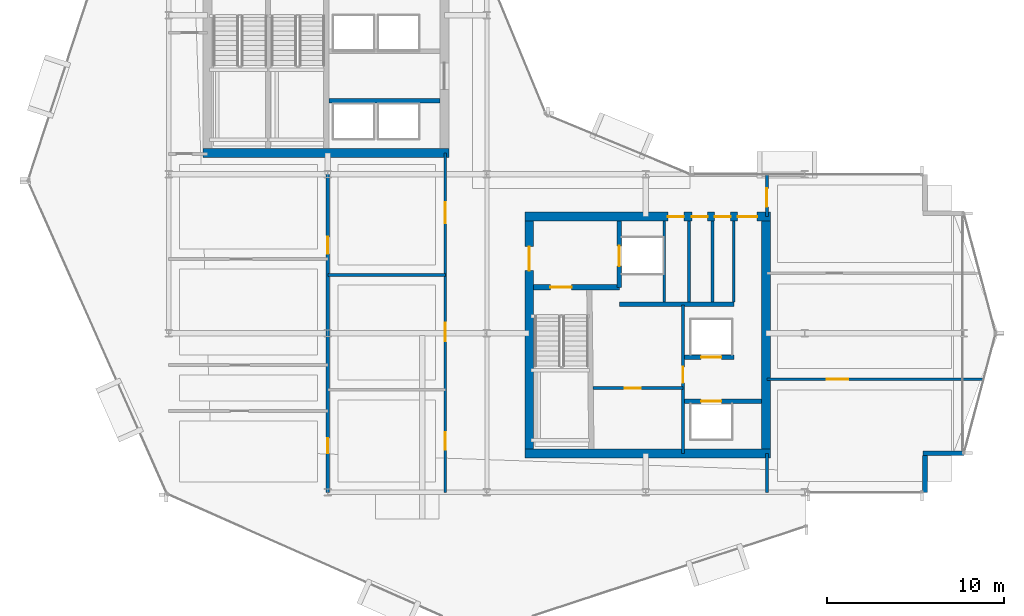
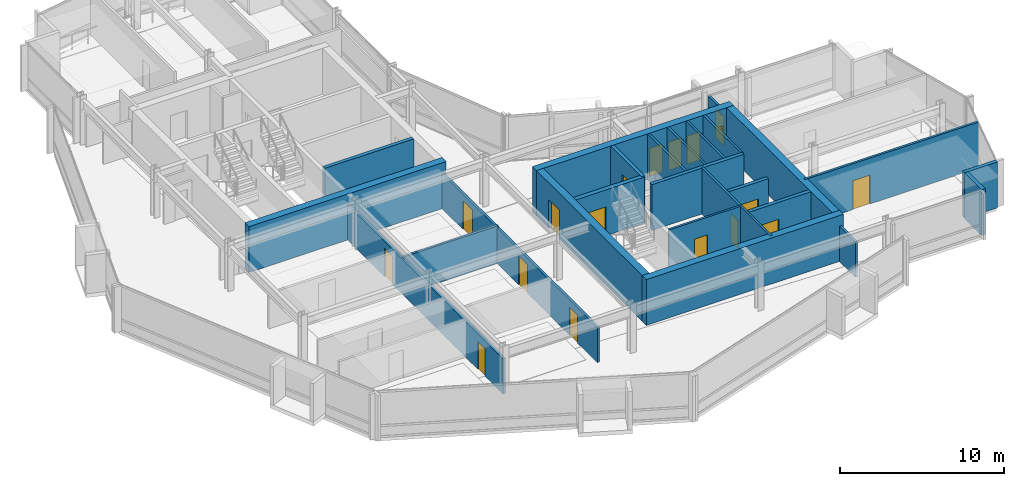
# One storey, part 22 of 29: 25 walls, 18 doors, 18 openings.
"""IFC4 building model written with IfcOpenShell, lengths in metres."""

from ifc_helpers import new_model, si_unit, direction, frame, frame_2d, origin, place, context, subcontext, project, spatial, rectangle, extrude, material, layer, layer_set, type_object, element, fill, save


model = new_model("IFC4")

# Units and contexts
model_context = context("Model", 3, precision=1e-05, world=origin(), true_north=direction((0.0, 1.0)))
body_context = subcontext(model_context, "Body", "Model", "MODEL_VIEW")
ifc_project = project(units=[si_unit("LENGTHUNIT", "METRE"), si_unit("AREAUNIT", "SQUARE_METRE"), si_unit("VOLUMEUNIT", "CUBIC_METRE"), si_unit("PLANEANGLEUNIT", "RADIAN"), si_unit("MASSUNIT", "GRAM", prefix="KILO")], contexts=[model_context])

# Site, building, storey
site_placement = place(None, origin())
site = spatial("IfcSite", under=ifc_project, at=site_placement, CompositionType="ELEMENT")
building_placement = place(site_placement, origin())
building = spatial("IfcBuilding", under=site, at=building_placement, Name="Solvaryn Broadcast Tower", CompositionType="ELEMENT")
storey_placement = place(building_placement, frame((0.0, 0.0, 161.800048828125)))
storey = spatial("IfcBuildingStorey", under=building, at=storey_placement, Name="L40", CompositionType="ELEMENT", Elevation=161.800048828125)

# Walls
ifc_material_1 = material(Name="Concrete f'c 70 MPa", Category="concrete")
ifc_layer_1 = layer(ifc_material_1, 0.5)
ifc_layer_set_1 = layer_set([ifc_layer_1], Name="CW-SHEAR-500")
wall_type_1 = type_object("IfcWallType", Name="CW-SHEAR-500", PredefinedType="SHEAR", material=ifc_layer_set_1)
for number, where, z_axis, x_axis, name in (
    (1, (10.949951171875, 28.199951171875, 0.0), (0.0, 0.0, 1.0), (1.0, 0.0, 0.0), "L40 West Core South Shear Wall"),
    (2, (29.14990234375, 11.199951171875, 0.0), (0.0, 0.0, 1.0), (1.0, 0.0, 0.0), "L40 East Core South Shear Wall"),
):
    element("IfcWall", number, at=place(storey_placement, frame(where, z_axis=z_axis, x_axis=x_axis)), inside=storey, type_object=wall_type_1, Name=name, PredefinedType="SHEAR", context=body_context, shape_type="SweptSolid", body=[
        extrude(rectangle(XDim=13.900146484375, YDim=0.5, at=frame_2d((6.9501953125, 0.0))), origin(), (0.0, 0.0, 1.0), 3.419921875),
    ])

# Wall, openings, doors
wall_1_placement = place(storey_placement, frame((43.050048828125, 24.60009765625, 0.0), z_axis=(0.0, 0.0, 1.0), x_axis=(-1.0, 0.0, 0.0)))
wall_1 = element("IfcWall", 3, at=wall_1_placement, inside=storey, type_object=wall_type_1, Name="L40 East Core North Shear Wall", PredefinedType="SHEAR", context=body_context, shape_type="SweptSolid", body=[
    extrude(rectangle(XDim=13.900146484375, YDim=0.5, at=frame_2d((6.9501953125, 0.0))), origin(), (0.0, 0.0, 1.0), 3.419921875),
])
opening_1_placement = place(wall_1_placement, frame((0.75, 0.0, 0.0)))
opening_1 = element("IfcOpeningElement", 4, at=opening_1_placement, cuts=wall_1, Name="Opening FD90C", PredefinedType="OPENING", context=body_context, shape_type="SweptSolid", body=[
    extrude(rectangle(XDim=1.10009765625, YDim=2.14990234375, at=frame_2d((0.550048828125, 1.074951171875))), frame((0.0, 0.260009765625, 0.0), z_axis=(0.0, -1.0, 0.0), x_axis=(1.0, 0.0, 0.0)), (0.0, 0.0, 1.0), 0.52001953125),
])
opening_2_placement = place(wall_1_placement, frame((2.25, 0.0, 0.0)))
opening_2 = element("IfcOpeningElement", 5, at=opening_2_placement, cuts=wall_1, Name="Opening FD60C", PredefinedType="OPENING", context=body_context, shape_type="SweptSolid", body=[
    extrude(rectangle(XDim=0.89990234375, YDim=2.10009765625, at=frame_2d((0.449951171875, 1.050048828125))), frame((0.0, 0.260009765625, 0.0), z_axis=(0.0, -1.0, 0.0), x_axis=(1.0, 0.0, 0.0)), (0.0, 0.0, 1.0), 0.52001953125),
])
opening_3_placement = place(wall_1_placement, frame((3.550048828125, 0.0, 0.0)))
opening_3 = element("IfcOpeningElement", 6, at=opening_3_placement, cuts=wall_1, Name="Opening FD60C", PredefinedType="OPENING", context=body_context, shape_type="SweptSolid", body=[
    extrude(rectangle(XDim=0.89990234375, YDim=2.10009765625, at=frame_2d((0.449951171875, 1.050048828125))), frame((0.0, 0.260009765625, 0.0), z_axis=(0.0, -1.0, 0.0), x_axis=(1.0, 0.0, 0.0)), (0.0, 0.0, 1.0), 0.52001953125),
])
opening_4_placement = place(wall_1_placement, frame((4.89990234375, 0.0, 0.0)))
opening_4 = element("IfcOpeningElement", 7, at=opening_4_placement, cuts=wall_1, Name="Opening FD60C", PredefinedType="OPENING", context=body_context, shape_type="SweptSolid", body=[
    extrude(rectangle(XDim=0.89990234375, YDim=2.10009765625, at=frame_2d((0.449951171875, 1.050048828125))), frame((0.0, 0.260009765625, 0.0), z_axis=(0.0, -1.0, 0.0), x_axis=(1.0, 0.0, 0.0)), (0.0, 0.0, 1.0), 0.52001953125),
])
ifc_material_2 = material(Name="Flush Acoustic Steel and Timber Door Assembly", Category="steel")
door_type_1 = type_object("IfcDoorType", Name="FD60-SERV-900X2100", OperationType="NOTDEFINED", PredefinedType="DOOR", material=ifc_material_2)
door_1_placement = place(opening_2_placement, origin())
door_1 = element("IfcDoor", 8, at=door_1_placement, inside=storey, type_object=door_type_1, Name="L40 Core Wellness Room Door", OperationType="SINGLE_SWING_RIGHT", OverallHeight=2.10009765625, OverallWidth=0.89990234375, PredefinedType="DOOR", context=body_context, shape_type="SweptSolid", body=[
    extrude(rectangle(XDim=0.89990234375, YDim=2.10009765625, at=frame_2d((0.449951171875, 1.050048828125))), frame((0.0, 0.02490234375, 0.0), z_axis=(0.0, -1.0, 0.0), x_axis=(1.0, 0.0, 0.0)), (0.0, 0.0, 1.0), 0.050048828125),
])
fill(opening_2, door_1)
door_2_placement = place(opening_3_placement, origin())
door_2 = element("IfcDoor", 9, at=door_2_placement, inside=storey, type_object=door_type_1, Name="L40 Staff Restroom Door", OperationType="SINGLE_SWING_LEFT", OverallHeight=2.10009765625, OverallWidth=0.89990234375, PredefinedType="DOOR", context=body_context, shape_type="SweptSolid", body=[
    extrude(rectangle(XDim=0.89990234375, YDim=2.10009765625, at=frame_2d((0.449951171875, 1.050048828125))), frame((0.0, 0.02490234375, 0.0), z_axis=(0.0, -1.0, 0.0), x_axis=(1.0, 0.0, 0.0)), (0.0, 0.0, 1.0), 0.050048828125),
])
fill(opening_3, door_2)
door_3_placement = place(opening_4_placement, origin())
door_3 = element("IfcDoor", 10, at=door_3_placement, inside=storey, type_object=door_type_1, Name="L40 Accessible WC Door", OperationType="SINGLE_SWING_RIGHT", OverallHeight=2.10009765625, OverallWidth=0.89990234375, PredefinedType="DOOR", context=body_context, shape_type="SweptSolid", body=[
    extrude(rectangle(XDim=0.89990234375, YDim=2.10009765625, at=frame_2d((0.449951171875, 1.050048828125))), frame((0.0, 0.02490234375, 0.0), z_axis=(0.0, -1.0, 0.0), x_axis=(1.0, 0.0, 0.0)), (0.0, 0.0, 1.0), 0.050048828125),
])
fill(opening_4, door_3)
ifc_material_3 = material(Name="Flush Acoustic Steel and Timber Door Assembly", Category="steel")
door_type_2 = type_object("IfcDoorType", Name="FD90-PLANT-1100X2150", OperationType="NOTDEFINED", PredefinedType="DOOR", material=ifc_material_3)
door_4_placement = place(opening_1_placement, origin())
door_4 = element("IfcDoor", 11, at=door_4_placement, inside=storey, type_object=door_type_2, Name="L40 East Core Lobby Corridor Door", OperationType="SINGLE_SWING_LEFT", OverallHeight=2.14990234375, OverallWidth=1.10009765625, PredefinedType="DOOR", context=body_context, shape_type="SweptSolid", body=[
    extrude(rectangle(XDim=1.10009765625, YDim=2.14990234375, at=frame_2d((0.550048828125, 1.074951171875))), frame((0.0, 0.02490234375, 0.0), z_axis=(0.0, -1.0, 0.0), x_axis=(1.0, 0.0, 0.0)), (0.0, 0.0, 1.0), 0.050048828125),
])
fill(opening_1, door_4)

# Wall, opening, door
wall_2_placement = place(storey_placement, frame((29.39990234375, 24.35009765625, 0.0), z_axis=(0.0, 0.0, 1.0), x_axis=(0.0, -1.0, 0.0)))
wall_2 = element("IfcWall", 12, at=wall_2_placement, inside=storey, type_object=wall_type_1, Name="L40 East Core West Shear Wall", PredefinedType="SHEAR", context=body_context, shape_type="SweptSolid", body=[
    extrude(rectangle(XDim=12.900146484375, YDim=0.5, at=frame_2d((6.4501953125, 0.0))), origin(), (0.0, 0.0, 1.0), 3.419921875),
])
opening_5_placement = place(wall_2_placement, frame((1.449951171875, 0.0, 0.0)))
opening_5 = element("IfcOpeningElement", 13, at=opening_5_placement, cuts=wall_2, Name="Opening FD90B", PredefinedType="OPENING", context=body_context, shape_type="SweptSolid", body=[
    extrude(rectangle(XDim=1.35009765625, YDim=2.14990234375, at=frame_2d((0.675048828125, 1.074951171875))), frame((0.0, 0.260009765625, 0.0), z_axis=(0.0, -1.0, 0.0), x_axis=(1.0, 0.0, 0.0)), (0.0, 0.0, 1.0), 0.52001953125),
])
ifc_material_4 = material(Name="Flush Acoustic Steel and Timber Door Assembly", Category="steel")
door_type_3 = type_object("IfcDoorType", Name="FD90-LOBBY-1350X2150", OperationType="NOTDEFINED", PredefinedType="DOOR", material=ifc_material_4)
door_5_placement = place(opening_5_placement, origin())
door_5 = element("IfcDoor", 14, at=door_5_placement, inside=storey, type_object=door_type_3, Name="L40 East FSAE Lobby Door", OperationType="SINGLE_SWING_RIGHT", OverallHeight=2.14990234375, OverallWidth=1.35009765625, PredefinedType="DOOR", context=body_context, shape_type="SweptSolid", body=[
    extrude(rectangle(XDim=1.35009765625, YDim=2.14990234375, at=frame_2d((0.675048828125, 1.074951171875))), frame((0.0, 0.02490234375, 0.0), z_axis=(0.0, -1.0, 0.0), x_axis=(1.0, 0.0, 0.0)), (0.0, 0.0, 1.0), 0.050048828125),
])
fill(opening_5, door_5)

# Walls
wall_3_placement = place(storey_placement, frame((42.800048828125, 11.449951171875, 0.0), z_axis=(0.0, 0.0, 1.0), x_axis=(0.0, 1.0, 0.0)))
element("IfcWall", 15, at=wall_3_placement, inside=storey, type_object=wall_type_1, Name="L40 East Core East Shear Wall", PredefinedType="SHEAR", context=body_context, shape_type="SweptSolid", body=[
    extrude(rectangle(XDim=12.900146484375, YDim=0.5, at=frame_2d((6.4501953125, 0.0))), origin(), (0.0, 0.0, 1.0), 3.419921875),
])
ifc_material_5 = material(Name="Concrete f'c 50 MPa", Category="concrete")
ifc_layer_2 = layer(ifc_material_5, 0.260009765625)
ifc_layer_set_2 = layer_set([ifc_layer_2], Name="EW-PIER-260")
wall_type_2 = type_object("IfcWallType", Name="EW-PIER-260", PredefinedType="SOLIDWALL", material=ifc_layer_set_2)
wall_4_placement = place(storey_placement, frame((51.800048828125, 9.0, 0.0), z_axis=(0.0, 0.0, 1.0), x_axis=(0.0, 1.0, 0.0)))
element("IfcWall", 16, at=wall_4_placement, inside=storey, type_object=wall_type_2, Name="L40 Notched Corner Pier Wall NSE1", PredefinedType="SOLIDWALL", context=body_context, shape_type="SweptSolid", body=[
    extrude(rectangle(XDim=2.080078125, YDim=0.260009765625, at=frame_2d((1.0400390625, 0.0))), origin(), (0.0, 0.0, 1.0), 3.419921875),
])
wall_5_placement = place(storey_placement, frame((51.679931640625, 11.199951171875, 0.0), z_axis=(0.0, 0.0, 1.0), x_axis=(1.0, 0.0, 0.0)))
element("IfcWall", 17, at=wall_5_placement, inside=storey, type_object=wall_type_2, Name="L40 Notched Corner Pier Wall NSE2", PredefinedType="SOLIDWALL", context=body_context, shape_type="SweptSolid", body=[
    extrude(rectangle(XDim=2.320068359375, YDim=0.260009765625, at=frame_2d((1.16015625, 0.0))), origin(), (0.0, 0.0, 1.0), 3.419921875),
])

# Wall, opening, door
ifc_material_6 = material(Name="Metal-Stud Service Core Partition")
ifc_layer_3 = layer(ifc_material_6, 0.14990234375)
ifc_layer_set_3 = layer_set([ifc_layer_3], Name="IW-PART-150")
wall_type_3 = type_object("IfcWallType", Name="IW-PART-150", PredefinedType="PARTITIONING", material=ifc_layer_set_3)
wall_6_placement = place(storey_placement, frame((33.0, 14.89990234375, 0.0), z_axis=(0.0, 0.0, 1.0), x_axis=(1.0, 0.0, 0.0)))
wall_6 = element("IfcWall", 18, at=wall_6_placement, inside=storey, type_object=wall_type_3, Name="L40 Interior Partition IW-L40-RPL-H", PredefinedType="PARTITIONING", context=body_context, shape_type="SweptSolid", body=[
    extrude(rectangle(XDim=5.10009765625, YDim=0.14990234375, at=frame_2d((2.550048828125, 0.0))), origin(), (0.0, 0.0, 1.0), 3.419921875),
])
opening_6_placement = place(wall_6_placement, frame((1.800048828125, 0.0, 0.0)))
opening_6 = element("IfcOpeningElement", 19, at=opening_6_placement, cuts=wall_6, Name="Opening FD60C", PredefinedType="OPENING", context=body_context, shape_type="SweptSolid", body=[
    extrude(rectangle(XDim=0.89990234375, YDim=2.10009765625, at=frame_2d((0.449951171875, 1.050048828125))), frame((0.0, 0.0849609375, 0.0), z_axis=(0.0, -1.0, 0.0), x_axis=(1.0, 0.0, 0.0)), (0.0, 0.0, 1.0), 0.169921875),
])
door_6_placement = place(opening_6_placement, origin())
door_6 = element("IfcDoor", 20, at=door_6_placement, inside=storey, type_object=door_type_1, Name="L40 Door DR-L40-RPL1", OperationType="SINGLE_SWING_LEFT", OverallHeight=2.10009765625, OverallWidth=0.89990234375, PredefinedType="DOOR", context=body_context, shape_type="SweptSolid", body=[
    extrude(rectangle(XDim=0.89990234375, YDim=2.10009765625, at=frame_2d((0.449951171875, 1.050048828125))), frame((0.0, 0.02490234375, 0.0), z_axis=(0.0, -1.0, 0.0), x_axis=(1.0, 0.0, 0.0)), (0.0, 0.0, 1.0), 0.050048828125),
])
fill(opening_6, door_6)

wall_7_placement = place(storey_placement, frame((38.10009765625, 11.199951171875, 0.0), z_axis=(0.0, 0.0, 1.0), x_axis=(0.0, 1.0, 0.0)))
wall_7 = element("IfcWall", 21, at=wall_7_placement, inside=storey, type_object=wall_type_3, Name="L40 Interior Partition IW-L40-RPL-E", PredefinedType="PARTITIONING", context=body_context, shape_type="SweptSolid", body=[
    extrude(rectangle(XDim=8.400146484375, YDim=0.14990234375, at=frame_2d((4.2001953125, 0.0))), origin(), (0.0, 0.0, 1.0), 3.419921875),
])
opening_7_placement = place(wall_7_placement, frame((4.0, 0.0, 0.0)))
opening_7 = element("IfcOpeningElement", 22, at=opening_7_placement, cuts=wall_7, Name="Opening FD60C", PredefinedType="OPENING", context=body_context, shape_type="SweptSolid", body=[
    extrude(rectangle(XDim=0.89990234375, YDim=2.10009765625, at=frame_2d((0.449951171875, 1.050048828125))), frame((0.0, 0.0849609375, 0.0), z_axis=(0.0, -1.0, 0.0), x_axis=(1.0, 0.0, 0.0)), (0.0, 0.0, 1.0), 0.169921875),
])
door_7_placement = place(opening_7_placement, origin())
door_7 = element("IfcDoor", 23, at=door_7_placement, inside=storey, type_object=door_type_1, Name="L40 Door DR-L40-RPL2", OperationType="SINGLE_SWING_RIGHT", OverallHeight=2.10009765625, OverallWidth=0.89990234375, PredefinedType="DOOR", context=body_context, shape_type="SweptSolid", body=[
    extrude(rectangle(XDim=0.89990234375, YDim=2.10009765625, at=frame_2d((0.449951171875, 1.050048828125))), frame((0.0, 0.02490234375, 0.0), z_axis=(0.0, -1.0, 0.0), x_axis=(1.0, 0.0, 0.0)), (0.0, 0.0, 1.0), 0.050048828125),
])
fill(opening_7, door_7)

# Walls
for number, where, z_axis, x_axis, name in (
    (24, (37.050048828125, 19.780029296875, 0.0), (0.0, 0.0, 1.0), (0.0, 1.0, 0.0), "L40 Interior Partition IW-L40-CE-FL2E"),
    (25, (38.43994140625, 19.780029296875, 0.0), (0.0, 0.0, 1.0), (0.0, 1.0, 0.0), "L40 Interior Partition IW-L40-CE-V1"),
    (26, (39.77001953125, 19.780029296875, 0.0), (0.0, 0.0, 1.0), (0.0, 1.0, 0.0), "L40 Interior Partition IW-L40-CE-V2"),
    (27, (40.97998046875, 19.780029296875, 0.0), (0.0, 0.0, 1.0), (0.0, 1.0, 0.0), "L40 Interior Partition IW-L40-CE-V3"),
):
    element("IfcWall", number, at=place(storey_placement, frame(where, z_axis=z_axis, x_axis=x_axis)), inside=storey, type_object=wall_type_3, Name=name, PredefinedType="PARTITIONING", context=body_context, shape_type="SweptSolid", body=[
        extrude(rectangle(XDim=4.570068359375, YDim=0.14990234375, at=frame_2d((2.28515625, 0.0))), origin(), (0.0, 0.0, 1.0), 3.419921875),
    ])

# Wall, openings, doors
ifc_material_7 = material(Name="Metal-Stud Gypsum Office Partition")
ifc_layer_4 = layer(ifc_material_7, 0.159912109375)
ifc_layer_set_4 = layer_set([ifc_layer_4], Name="IW-PART-160")
wall_type_4 = type_object("IfcWallType", Name="IW-PART-160", PredefinedType="PARTITIONING", material=ifc_layer_set_4)
wall_8_placement = place(storey_placement, frame((24.64990234375, 9.0, 0.0), z_axis=(0.0, 0.0, 1.0), x_axis=(0.0, 1.0, 0.0)))
wall_8 = element("IfcWall", 28, at=wall_8_placement, inside=storey, type_object=wall_type_4, Name="L40 Interior Partition IW-L40-SW-EB", PredefinedType="PARTITIONING", context=body_context, shape_type="SweptSolid", body=[
    extrude(rectangle(XDim=19.199951171875, YDim=0.159912109375, at=frame_2d((9.60009765625, 0.0))), origin(), (0.0, 0.0, 1.0), 2.634033203125),
])
opening_8_placement = place(wall_8_placement, frame((2.39990234375, 0.0, 0.0)))
opening_8 = element("IfcOpeningElement", 29, at=opening_8_placement, cuts=wall_8, Name="Opening ID02", PredefinedType="OPENING", context=body_context, shape_type="SweptSolid", body=[
    extrude(rectangle(XDim=1.0, YDim=2.10009765625, at=frame_2d((0.5, 1.050048828125))), frame((0.0, 0.090087890625, 0.0), z_axis=(0.0, -1.0, 0.0), x_axis=(1.0, 0.0, 0.0)), (0.0, 0.0, 1.0), 0.179931640625),
])
opening_9_placement = place(wall_8_placement, frame((8.550048828125, 0.0, 0.0)))
opening_9 = element("IfcOpeningElement", 30, at=opening_9_placement, cuts=wall_8, Name="Opening ID03", PredefinedType="OPENING", context=body_context, shape_type="SweptSolid", body=[
    extrude(rectangle(XDim=1.050048828125, YDim=2.14990234375, at=frame_2d((0.52490234375, 1.074951171875))), frame((0.0, 0.090087890625, 0.0), z_axis=(0.0, -1.0, 0.0), x_axis=(1.0, 0.0, 0.0)), (0.0, 0.0, 1.0), 0.179931640625),
])
opening_10_placement = place(wall_8_placement, frame((15.215087890625, 0.0, 0.0)))
opening_10 = element("IfcOpeningElement", 31, at=opening_10_placement, cuts=wall_8, Name="Opening ID04", PredefinedType="OPENING", context=body_context, shape_type="SweptSolid", body=[
    extrude(rectangle(XDim=1.199951171875, YDim=2.14990234375, at=frame_2d((0.60009765625, 1.074951171875))), frame((0.0, 0.090087890625, 0.0), z_axis=(0.0, -1.0, 0.0), x_axis=(1.0, 0.0, 0.0)), (0.0, 0.0, 1.0), 0.179931640625),
])
ifc_material_8 = material(Name="Flush Acoustic Steel and Timber Door Assembly", Category="steel")
door_type_4 = type_object("IfcDoorType", Name="ID-02-1000X2100", OperationType="NOTDEFINED", PredefinedType="DOOR", material=ifc_material_8)
door_8_placement = place(opening_8_placement, origin())
door_8 = element("IfcDoor", 32, at=door_8_placement, inside=storey, type_object=door_type_4, Name="L40 Door DR-L40-SWE-1", OperationType="SINGLE_SWING_RIGHT", OverallHeight=2.10009765625, OverallWidth=1.0, PredefinedType="DOOR", context=body_context, shape_type="SweptSolid", body=[
    extrude(rectangle(XDim=1.0, YDim=2.10009765625, at=frame_2d((0.5, 1.050048828125))), frame((0.0, 0.02490234375, 0.0), z_axis=(0.0, -1.0, 0.0), x_axis=(1.0, 0.0, 0.0)), (0.0, 0.0, 1.0), 0.050048828125),
])
fill(opening_8, door_8)
ifc_material_9 = material(Name="Flush Acoustic Steel and Timber Door Assembly", Category="steel")
door_type_5 = type_object("IfcDoorType", Name="ID-03-1050X2150", OperationType="NOTDEFINED", PredefinedType="DOOR", material=ifc_material_9)
door_9_placement = place(opening_9_placement, origin())
door_9 = element("IfcDoor", 33, at=door_9_placement, inside=storey, type_object=door_type_5, Name="L40 Door DR-L40-SWE-2", OperationType="SINGLE_SWING_LEFT", OverallHeight=2.14990234375, OverallWidth=1.050048828125, PredefinedType="DOOR", context=body_context, shape_type="SweptSolid", body=[
    extrude(rectangle(XDim=1.050048828125, YDim=2.14990234375, at=frame_2d((0.52490234375, 1.074951171875))), frame((0.0, 0.02490234375, 0.0), z_axis=(0.0, -1.0, 0.0), x_axis=(1.0, 0.0, 0.0)), (0.0, 0.0, 1.0), 0.050048828125),
])
fill(opening_9, door_9)
ifc_material_10 = material(Name="Flush Acoustic Steel and Timber Door Assembly", Category="steel")
door_type_6 = type_object("IfcDoorType", Name="ID-04-1200X2150", OperationType="NOTDEFINED", PredefinedType="DOOR", material=ifc_material_10)
door_10_placement = place(opening_10_placement, origin())
door_10 = element("IfcDoor", 34, at=door_10_placement, inside=storey, type_object=door_type_6, Name="L40 Door DR-L40-SWE-3", OperationType="SINGLE_SWING_RIGHT", OverallHeight=2.14990234375, OverallWidth=1.199951171875, PredefinedType="DOOR", context=body_context, shape_type="SweptSolid", body=[
    extrude(rectangle(XDim=1.199951171875, YDim=2.14990234375, at=frame_2d((0.60009765625, 1.074951171875))), frame((0.0, 0.02490234375, 0.0), z_axis=(0.0, -1.0, 0.0), x_axis=(1.0, 0.0, 0.0)), (0.0, 0.0, 1.0), 0.050048828125),
])
fill(opening_10, door_10)

# Walls
wall_9_placement = place(storey_placement, frame((18.0, 21.300048828125, 0.0), z_axis=(0.0, 0.0, 1.0), x_axis=(1.0, 0.0, 0.0)))
element("IfcWall", 35, at=wall_9_placement, inside=storey, type_object=wall_type_4, Name="L40 Interior Partition IW-L40-SWE-H2", PredefinedType="PARTITIONING", context=body_context, shape_type="SweptSolid", body=[
    extrude(rectangle(XDim=6.64990234375, YDim=0.159912109375, at=frame_2d((3.324951171875, 0.0))), origin(), (0.0, 0.0, 1.0), 2.7919921875),
])
wall_10_placement = place(storey_placement, frame((42.85009765625, 9.0, 0.0), z_axis=(0.0, 0.0, 1.0), x_axis=(0.0, 1.0, 0.0)))
element("IfcWall", 36, at=wall_10_placement, inside=storey, type_object=wall_type_4, Name="L40 Interior Partition IW-L40-SC-E", PredefinedType="PARTITIONING", context=body_context, shape_type="SweptSolid", body=[
    extrude(rectangle(XDim=2.199951171875, YDim=0.159912109375, at=frame_2d((1.10009765625, 0.0))), origin(), (0.0, 0.0, 1.0), 2.634033203125),
])

# Wall, opening, door
wall_11_placement = place(storey_placement, frame((42.85009765625, 24.60009765625, 0.0), z_axis=(0.0, 0.0, 1.0), x_axis=(0.0, 1.0, 0.0)))
wall_11 = element("IfcWall", 37, at=wall_11_placement, inside=storey, type_object=wall_type_4, Name="L40 Interior Partition IW-L40-EW-BN", PredefinedType="PARTITIONING", context=body_context, shape_type="SweptSolid", body=[
    extrude(rectangle(XDim=2.39990234375, YDim=0.159912109375, at=frame_2d((1.199951171875, 0.0))), origin(), (0.0, 0.0, 1.0), 2.634033203125),
])
opening_11_placement = place(wall_11_placement, frame((0.550048828125, 0.0, 0.0)))
opening_11 = element("IfcOpeningElement", 38, at=opening_11_placement, cuts=wall_11, Name="Opening ID03", PredefinedType="OPENING", context=body_context, shape_type="SweptSolid", body=[
    extrude(rectangle(XDim=1.050048828125, YDim=2.14990234375, at=frame_2d((0.52490234375, 1.074951171875))), frame((0.0, 0.090087890625, 0.0), z_axis=(0.0, -1.0, 0.0), x_axis=(1.0, 0.0, 0.0)), (0.0, 0.0, 1.0), 0.179931640625),
])
door_11_placement = place(opening_11_placement, origin())
door_11 = element("IfcDoor", 39, at=door_11_placement, inside=storey, type_object=door_type_5, Name="L40 Door DR-L40-EW0", OperationType="SINGLE_SWING_LEFT", OverallHeight=2.14990234375, OverallWidth=1.050048828125, PredefinedType="DOOR", context=body_context, shape_type="SweptSolid", body=[
    extrude(rectangle(XDim=1.050048828125, YDim=2.14990234375, at=frame_2d((0.52490234375, 1.074951171875))), frame((0.0, 0.02490234375, 0.0), z_axis=(0.0, -1.0, 0.0), x_axis=(1.0, 0.0, 0.0)), (0.0, 0.0, 1.0), 0.050048828125),
])
fill(opening_11, door_11)

wall_12_placement = place(storey_placement, frame((42.85009765625, 15.39990234375, 0.0), z_axis=(0.0, 0.0, 1.0), x_axis=(1.0, 0.0, 0.0)))
wall_12 = element("IfcWall", 40, at=wall_12_placement, inside=storey, type_object=wall_type_4, Name="L40 Interior Partition IW-L40-EW-H1", PredefinedType="PARTITIONING", context=body_context, shape_type="SweptSolid", body=[
    extrude(rectangle(XDim=12.261962890625, YDim=0.159912109375, at=frame_2d((6.130859375, 0.0))), origin(), (0.0, 0.0, 1.0), 3.419921875),
])
opening_12_placement = place(wall_12_placement, frame((3.39990234375, 0.0, 0.0)))
opening_12 = element("IfcOpeningElement", 41, at=opening_12_placement, cuts=wall_12, Name="Opening ID04", PredefinedType="OPENING", context=body_context, shape_type="SweptSolid", body=[
    extrude(rectangle(XDim=1.199951171875, YDim=2.14990234375, at=frame_2d((0.60009765625, 1.074951171875))), frame((0.0, 0.090087890625, 0.0), z_axis=(0.0, -1.0, 0.0), x_axis=(1.0, 0.0, 0.0)), (0.0, 0.0, 1.0), 0.179931640625),
])
door_12_placement = place(opening_12_placement, origin())
door_12 = element("IfcDoor", 42, at=door_12_placement, inside=storey, type_object=door_type_6, Name="L40 Door DR-L40-EW-1", OperationType="SINGLE_SWING_RIGHT", OverallHeight=2.14990234375, OverallWidth=1.199951171875, PredefinedType="DOOR", context=body_context, shape_type="SweptSolid", body=[
    extrude(rectangle(XDim=1.199951171875, YDim=2.14990234375, at=frame_2d((0.60009765625, 1.074951171875))), frame((0.0, 0.02490234375, 0.0), z_axis=(0.0, -1.0, 0.0), x_axis=(1.0, 0.0, 0.0)), (0.0, 0.0, 1.0), 0.050048828125),
])
fill(opening_12, door_12)

# Wall, openings, doors
ifc_material_11 = material(Name="Acoustic Metal-Stud Gypsum Partition")
ifc_layer_5 = layer(ifc_material_11, 0.179931640625)
ifc_layer_set_5 = layer_set([ifc_layer_5], Name="IW-PART-180")
wall_type_5 = type_object("IfcWallType", Name="IW-PART-180", PredefinedType="PARTITIONING", material=ifc_layer_set_5)
wall_13_placement = place(storey_placement, frame((18.0, 9.0, 0.0), z_axis=(0.0, 0.0, 1.0), x_axis=(0.0, 1.0, 0.0)))
wall_13 = element("IfcWall", 43, at=wall_13_placement, inside=storey, type_object=wall_type_5, Name="L40 Interior Partition IW-L40-SW-VX", PredefinedType="PARTITIONING", context=body_context, shape_type="SweptSolid", body=[
    extrude(rectangle(XDim=19.1298828125, YDim=0.179931640625, at=frame_2d((9.56494140625, 0.0))), origin(), (0.0, 0.0, 1.0), 2.634033203125),
])
opening_13_placement = place(wall_13_placement, frame((2.199951171875, 0.0, 0.0)))
opening_13 = element("IfcOpeningElement", 44, at=opening_13_placement, cuts=wall_13, Name="Opening ID07", PredefinedType="OPENING", context=body_context, shape_type="SweptSolid", body=[
    extrude(rectangle(XDim=0.860107421875, YDim=2.050048828125, at=frame_2d((0.43017578125, 1.02490234375))), frame((0.0, 0.099853515625, 0.0), z_axis=(0.0, -1.0, 0.0), x_axis=(1.0, 0.0, 0.0)), (0.0, 0.0, 1.0), 0.199951171875),
])
opening_14_placement = place(wall_13_placement, frame((13.5, 0.0, 0.0)))
opening_14 = element("IfcOpeningElement", 45, at=opening_14_placement, cuts=wall_13, Name="Opening ID01", PredefinedType="OPENING", context=body_context, shape_type="SweptSolid", body=[
    extrude(rectangle(XDim=0.949951171875, YDim=2.10009765625, at=frame_2d((0.47509765625, 1.050048828125))), frame((0.0, 0.099853515625, 0.0), z_axis=(0.0, -1.0, 0.0), x_axis=(1.0, 0.0, 0.0)), (0.0, 0.0, 1.0), 0.199951171875),
])
ifc_material_12 = material(Name="Flush Acoustic Steel and Timber Door Assembly", Category="steel")
door_type_7 = type_object("IfcDoorType", Name="ID-01-950X2100", OperationType="NOTDEFINED", PredefinedType="DOOR", material=ifc_material_12)
door_13_placement = place(opening_14_placement, origin())
door_13 = element("IfcDoor", 46, at=door_13_placement, inside=storey, type_object=door_type_7, Name="L40 Door DR-L40-SWW-X2", OperationType="SINGLE_SWING_RIGHT", OverallHeight=2.10009765625, OverallWidth=0.949951171875, PredefinedType="DOOR", context=body_context, shape_type="SweptSolid", body=[
    extrude(rectangle(XDim=0.949951171875, YDim=2.10009765625, at=frame_2d((0.47509765625, 1.050048828125))), frame((0.0, 0.02490234375, 0.0), z_axis=(0.0, -1.0, 0.0), x_axis=(1.0, 0.0, 0.0)), (0.0, 0.0, 1.0), 0.050048828125),
])
fill(opening_14, door_13)
ifc_material_13 = material(Name="Flush Acoustic Steel and Timber Door Assembly", Category="steel")
door_type_8 = type_object("IfcDoorType", Name="ID-07-860X2050", OperationType="NOTDEFINED", PredefinedType="DOOR", material=ifc_material_13)
door_14_placement = place(opening_13_placement, origin())
door_14 = element("IfcDoor", 47, at=door_14_placement, inside=storey, type_object=door_type_8, Name="L40 Door DR-L40-SWW-X1", OperationType="SINGLE_SWING_LEFT", OverallHeight=2.050048828125, OverallWidth=0.860107421875, PredefinedType="DOOR", context=body_context, shape_type="SweptSolid", body=[
    extrude(rectangle(XDim=0.860107421875, YDim=2.050048828125, at=frame_2d((0.43017578125, 1.02490234375))), frame((0.0, 0.02490234375, 0.0), z_axis=(0.0, -1.0, 0.0), x_axis=(1.0, 0.0, 0.0)), (0.0, 0.0, 1.0), 0.050048828125),
])
fill(opening_13, door_14)

# Wall
ifc_material_14 = material(Name="Concrete f'c 60 MPa", Category="concrete")
ifc_layer_6 = layer(ifc_material_14, 0.25)
ifc_layer_set_6 = layer_set([ifc_layer_6], Name="SW-SHAFT-250")
wall_type_6 = type_object("IfcWallType", Name="SW-SHAFT-250", PredefinedType="PARTITIONING", material=ifc_layer_set_6)
wall_14_placement = place(storey_placement, frame((18.070068359375, 31.14990234375, 0.0), z_axis=(0.0, 0.0, 1.0), x_axis=(1.0, 0.0, 0.0)))
element("IfcWall", 48, at=wall_14_placement, inside=storey, type_object=wall_type_6, Name="L40 High-Rise Lift Bank South Wall", PredefinedType="PARTITIONING", context=body_context, shape_type="SweptSolid", body=[
    extrude(rectangle(XDim=6.280029296875, YDim=0.25, at=frame_2d((3.14013671875, 0.0))), origin(), (0.0, 0.0, 1.0), 3.419921875),
])

# Wall, opening, door
wall_15_placement = place(storey_placement, frame((34.5, 20.60009765625, 0.0), z_axis=(0.0, 0.0, 1.0), x_axis=(0.0, 1.0, 0.0)))
wall_15 = element("IfcWall", 49, at=wall_15_placement, inside=storey, type_object=wall_type_6, Name="L40 East FSAE Lobby East Wall", PredefinedType="PARTITIONING", context=body_context, shape_type="SweptSolid", body=[
    extrude(rectangle(XDim=3.75, YDim=0.25, at=frame_2d((1.875, 0.0))), origin(), (0.0, 0.0, 1.0), 3.419921875),
])
opening_15_placement = place(wall_15_placement, frame((1.199951171875, 0.0, 0.0)))
opening_15 = element("IfcOpeningElement", 50, at=opening_15_placement, cuts=wall_15, Name="Opening LD01", PredefinedType="OPENING", context=body_context, shape_type="SweptSolid", body=[
    extrude(rectangle(XDim=1.14990234375, YDim=2.14990234375, at=frame_2d((0.574951171875, 1.074951171875))), frame((0.0, 0.135009765625, 0.0), z_axis=(0.0, -1.0, 0.0), x_axis=(1.0, 0.0, 0.0)), (0.0, 0.0, 1.0), 0.27001953125),
])
ifc_material_15 = material(Name="Flush Acoustic Steel and Timber Door Assembly", Category="steel")
door_type_9 = type_object("IfcDoorType", Name="LD-LIFT-1150X2150", OperationType="NOTDEFINED", PredefinedType="DOOR", material=ifc_material_15)
door_15_placement = place(opening_15_placement, origin())
door_15 = element("IfcDoor", 51, at=door_15_placement, inside=storey, type_object=door_type_9, Name="L40 FL2 Lift Landing Door", OperationType="DOUBLE_DOOR_SLIDING", OverallHeight=2.14990234375, OverallWidth=1.14990234375, PredefinedType="DOOR", context=body_context, shape_type="SweptSolid", body=[
    extrude(rectangle(XDim=1.14990234375, YDim=2.14990234375, at=frame_2d((0.574951171875, 1.074951171875))), frame((0.0, 0.02490234375, 0.0), z_axis=(0.0, -1.0, 0.0), x_axis=(1.0, 0.0, 0.0)), (0.0, 0.0, 1.0), 0.050048828125),
])
fill(opening_15, door_15)

# Wall
wall_16_placement = place(storey_placement, frame((34.5, 19.64990234375, 0.0), z_axis=(0.0, 0.0, 1.0), x_axis=(1.0, 0.0, 0.0)))
element("IfcWall", 52, at=wall_16_placement, inside=storey, type_object=wall_type_6, Name="L40 East Core Restroom South Wall", PredefinedType="PARTITIONING", context=body_context, shape_type="SweptSolid", body=[
    extrude(rectangle(XDim=6.47998046875, YDim=0.25, at=frame_2d((3.239990234375, 0.0))), origin(), (0.0, 0.0, 1.0), 3.419921875),
])

# Wall, opening, door
wall_17_placement = place(storey_placement, frame((38.199951171875, 14.14990234375, 0.0), z_axis=(0.0, 0.0, 1.0), x_axis=(1.0, 0.0, 0.0)))
wall_17 = element("IfcWall", 53, at=wall_17_placement, inside=storey, type_object=wall_type_6, Name="L40 East Lift Bank South Wall", PredefinedType="PARTITIONING", context=body_context, shape_type="SweptSolid", body=[
    extrude(rectangle(XDim=4.35009765625, YDim=0.25, at=frame_2d((2.175048828125, 0.0))), origin(), (0.0, 0.0, 1.0), 3.419921875),
])
opening_16_placement = place(wall_17_placement, frame((0.925048828125, 0.0, 0.0)))
opening_16 = element("IfcOpeningElement", 54, at=opening_16_placement, cuts=wall_17, Name="Opening LD01", PredefinedType="OPENING", context=body_context, shape_type="SweptSolid", body=[
    extrude(rectangle(XDim=1.14990234375, YDim=2.14990234375, at=frame_2d((0.574951171875, 1.074951171875))), frame((0.0, 0.135009765625, 0.0), z_axis=(0.0, -1.0, 0.0), x_axis=(1.0, 0.0, 0.0)), (0.0, 0.0, 1.0), 0.27001953125),
])
door_16_placement = place(opening_16_placement, origin())
door_16 = element("IfcDoor", 55, at=door_16_placement, inside=storey, type_object=door_type_9, Name="L40 PM1 Lift Landing Door", OperationType="DOUBLE_DOOR_SLIDING", OverallHeight=2.14990234375, OverallWidth=1.14990234375, PredefinedType="DOOR", context=body_context, shape_type="SweptSolid", body=[
    extrude(rectangle(XDim=1.14990234375, YDim=2.14990234375, at=frame_2d((0.574951171875, 1.074951171875))), frame((0.0, 0.02490234375, 0.0), z_axis=(0.0, -1.0, 0.0), x_axis=(1.0, 0.0, 0.0)), (0.0, 0.0, 1.0), 0.050048828125),
])
fill(opening_16, door_16)

wall_18_placement = place(storey_placement, frame((40.97998046875, 16.64990234375, 0.0), z_axis=(0.0, 0.0, 1.0), x_axis=(-1.0, 0.0, 0.0)))
wall_18 = element("IfcWall", 56, at=wall_18_placement, inside=storey, type_object=wall_type_6, Name="L40 East Lift Bank North Wall", PredefinedType="PARTITIONING", context=body_context, shape_type="SweptSolid", body=[
    extrude(rectangle(XDim=2.780029296875, YDim=0.25, at=frame_2d((1.39013671875, 0.0))), origin(), (0.0, 0.0, 1.0), 3.419921875),
])
opening_17_placement = place(wall_18_placement, frame((0.705078125, 0.0, 0.0)))
opening_17 = element("IfcOpeningElement", 57, at=opening_17_placement, cuts=wall_18, Name="Opening LD01", PredefinedType="OPENING", context=body_context, shape_type="SweptSolid", body=[
    extrude(rectangle(XDim=1.14990234375, YDim=2.14990234375, at=frame_2d((0.574951171875, 1.074951171875))), frame((0.0, 0.135009765625, 0.0), z_axis=(0.0, -1.0, 0.0), x_axis=(1.0, 0.0, 0.0)), (0.0, 0.0, 1.0), 0.27001953125),
])
door_17_placement = place(opening_17_placement, origin())
door_17 = element("IfcDoor", 58, at=door_17_placement, inside=storey, type_object=door_type_9, Name="L40 PM2 Lift Landing Door", OperationType="DOUBLE_DOOR_SLIDING", OverallHeight=2.14990234375, OverallWidth=1.14990234375, PredefinedType="DOOR", context=body_context, shape_type="SweptSolid", body=[
    extrude(rectangle(XDim=1.14990234375, YDim=2.14990234375, at=frame_2d((0.574951171875, 1.074951171875))), frame((0.0, 0.02490234375, 0.0), z_axis=(0.0, -1.0, 0.0), x_axis=(1.0, 0.0, 0.0)), (0.0, 0.0, 1.0), 0.050048828125),
])
fill(opening_17, door_17)

ifc_material_16 = material(Name="Concrete f'c 70 MPa", Category="concrete")
ifc_layer_7 = layer(ifc_material_16, 0.300048828125)
ifc_layer_set_7 = layer_set([ifc_layer_7], Name="SW-SHAFT-300")
wall_type_7 = type_object("IfcWallType", Name="SW-SHAFT-300", PredefinedType="SHEAR", material=ifc_layer_set_7)
wall_19_placement = place(storey_placement, frame((34.5, 20.60009765625, 0.0), z_axis=(0.0, 0.0, 1.0), x_axis=(-1.0, 0.0, 0.0)))
wall_19 = element("IfcWall", 59, at=wall_19_placement, inside=storey, type_object=wall_type_7, Name="L40 East FSAE Lobby South Wall", PredefinedType="SHEAR", context=body_context, shape_type="SweptSolid", body=[
    extrude(rectangle(XDim=4.85009765625, YDim=0.300048828125, at=frame_2d((2.425048828125, 0.0))), origin(), (0.0, 0.0, 1.0), 3.419921875),
])
opening_18_placement = place(wall_19_placement, frame((2.699951171875, 0.0, 0.0)))
opening_18 = element("IfcOpeningElement", 60, at=opening_18_placement, cuts=wall_19, Name="Opening FD90A", PredefinedType="OPENING", context=body_context, shape_type="SweptSolid", body=[
    extrude(rectangle(XDim=1.199951171875, YDim=2.14990234375, at=frame_2d((0.60009765625, 1.074951171875))), frame((0.0, 0.159912109375, 0.0), z_axis=(0.0, -1.0, 0.0), x_axis=(1.0, 0.0, 0.0)), (0.0, 0.0, 1.0), 0.320068359375),
])
ifc_material_17 = material(Name="Flush Acoustic Steel and Timber Door Assembly", Category="steel")
door_type_10 = type_object("IfcDoorType", Name="FD90-STAIR-1200X2150", OperationType="NOTDEFINED", PredefinedType="DOOR", material=ifc_material_17)
door_18_placement = place(opening_18_placement, origin())
door_18 = element("IfcDoor", 61, at=door_18_placement, inside=storey, type_object=door_type_10, Name="L40 Stair 3 Fire Door", OperationType="SINGLE_SWING_LEFT", OverallHeight=2.14990234375, OverallWidth=1.199951171875, PredefinedType="DOOR", context=body_context, shape_type="SweptSolid", body=[
    extrude(rectangle(XDim=1.199951171875, YDim=2.14990234375, at=frame_2d((0.60009765625, 1.074951171875))), frame((0.0, 0.02490234375, 0.0), z_axis=(0.0, -1.0, 0.0), x_axis=(1.0, 0.0, 0.0)), (0.0, 0.0, 1.0), 0.050048828125),
])
fill(opening_18, door_18)

save(model, "model.ifc")
